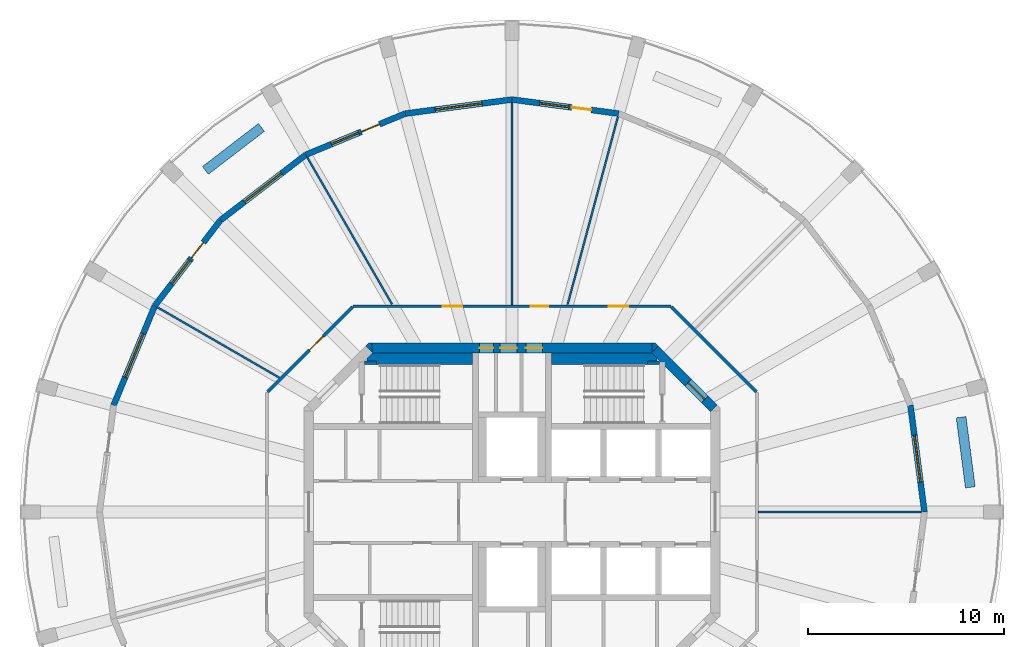
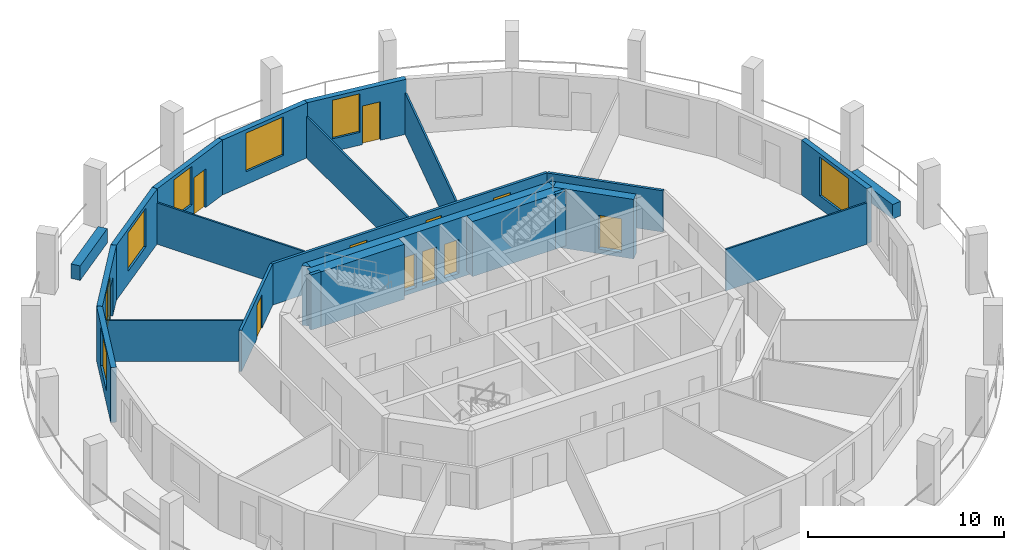
# One storey, part 5 of 8: 25 walls, 11 doors, 7 windows, 18 openings.
"""IFC4 building model written with IfcOpenShell, lengths in metres."""

from ifc_helpers import new_model, si_unit, direction, frame, frame_2d, origin, place, context, subcontext, project, spatial, polyline, rectangle, outline, extrude, material, layer, layer_set, type_object, element, fill, save


model = new_model("IFC4")

# Units and contexts
model_context = context("Model", 3, precision=1e-05, world=origin(), true_north=direction((0.0, 1.0)))
body_context = subcontext(model_context, "Body", "Model", "MODEL_VIEW")
ifc_project = project(units=[si_unit("LENGTHUNIT", "METRE"), si_unit("AREAUNIT", "SQUARE_METRE"), si_unit("VOLUMEUNIT", "CUBIC_METRE"), si_unit("PLANEANGLEUNIT", "RADIAN"), si_unit("MASSUNIT", "GRAM", prefix="KILO")], contexts=[model_context])

# Site, building, storey
site_placement = place(None, origin())
site = spatial("IfcSite", under=ifc_project, at=site_placement, CompositionType="ELEMENT")
building_placement = place(site_placement, origin())
building = spatial("IfcBuilding", under=site, at=building_placement, Name="Torre Triforio", CompositionType="ELEMENT")
storey_placement = place(building_placement, frame((0.0, 0.0, 253.800048828125)))
storey = spatial("IfcBuildingStorey", under=building, at=storey_placement, Name="L58", CompositionType="ELEMENT", Elevation=253.800048828125)

# Wall, openings, doors
ifc_material_1 = material(Name="Concrete C40", Category="concrete")
ifc_layer_1 = layer(ifc_material_1, 0.5)
ifc_layer_set_1 = layer_set([ifc_layer_1], Name="Concrete C40")
wall_type_1 = type_object("IfcWallType", Name="Core wall 500 mm C40 EI 120", PredefinedType="SHEAR", material=ifc_layer_set_1)
wall_1_placement = place(storey_placement, frame((-7.1298828125, 8.35009765625, -0.280029296875), z_axis=(0.0, 0.0, 1.0), x_axis=(1.0, 0.0, 0.0)))
wall_1 = element("IfcWall", 1, at=wall_1_placement, inside=storey, type_object=wall_type_1, Name="Core wall", PredefinedType="SHEAR", context=body_context, shape_type="SweptSolid", body=[
    extrude(rectangle(XDim=14.259765625, YDim=0.5, at=frame_2d((7.1298828125, 0.0))), origin(), (0.0, 0.0, 1.0), 3.699951171875),
])
opening_1_placement = place(wall_1_placement, frame((5.47998046875, 0.0, 0.280029296875)))
opening_1 = element("IfcOpeningElement", 2, at=opening_1_placement, cuts=wall_1, Name="Opening RISER-N", PredefinedType="OPENING", context=body_context, shape_type="SweptSolid", body=[
    extrude(rectangle(XDim=0.699951171875, YDim=2.10009765625, at=frame_2d((0.35009765625, 1.050048828125))), frame((0.0, 0.260009765625, 0.0), z_axis=(0.0, -1.0, 0.0), x_axis=(1.0, 0.0, 0.0)), (0.0, 0.0, 1.0), 0.52001953125),
])
opening_2_placement = place(wall_1_placement, frame((6.530029296875, 0.0, 0.280029296875)))
opening_2 = element("IfcOpeningElement", 3, at=opening_2_placement, cuts=wall_1, Name="Opening NE-01A", PredefinedType="OPENING", context=body_context, shape_type="SweptSolid", body=[
    extrude(rectangle(XDim=0.85009765625, YDim=2.10009765625, at=frame_2d((0.425048828125, 1.050048828125))), frame((0.0, 0.260009765625, 0.0), z_axis=(0.0, -1.0, 0.0), x_axis=(1.0, 0.0, 0.0)), (0.0, 0.0, 1.0), 0.52001953125),
])
opening_3_placement = place(wall_1_placement, frame((7.830078125, 0.0, 0.280029296875)))
opening_3 = element("IfcOpeningElement", 4, at=opening_3_placement, cuts=wall_1, Name="Opening NE-02", PredefinedType="OPENING", context=body_context, shape_type="SweptSolid", body=[
    extrude(rectangle(XDim=0.85009765625, YDim=2.10009765625, at=frame_2d((0.425048828125, 1.050048828125))), frame((0.0, 0.260009765625, 0.0), z_axis=(0.0, -1.0, 0.0), x_axis=(1.0, 0.0, 0.0)), (0.0, 0.0, 1.0), 0.52001953125),
])
ifc_material_2 = material(Name="Hollow metal fire door leaf")
door_type_1 = type_object("IfcDoorType", Name="Plant room door 850 x 2100 EI 60", OperationType="NOTDEFINED", PredefinedType="DOOR", material=ifc_material_2)
door_1_placement = place(opening_3_placement, origin())
door_1 = element("IfcDoor", 5, at=door_1_placement, inside=storey, type_object=door_type_1, Name="Core door NE-02", OperationType="SINGLE_SWING_RIGHT", OverallHeight=2.10009765625, OverallWidth=0.85009765625, PredefinedType="DOOR", context=body_context, shape_type="SweptSolid", body=[
    extrude(rectangle(XDim=0.85009765625, YDim=2.10009765625, at=frame_2d((0.425048828125, 1.050048828125))), frame((0.0, 0.02490234375, 0.0), z_axis=(0.0, -1.0, 0.0), x_axis=(1.0, 0.0, 0.0)), (0.0, 0.0, 1.0), 0.050048828125),
])
fill(opening_3, door_1)
door_type_2 = type_object("IfcDoorType", Name="Riser door 700 x 2100 EI 60", OperationType="NOTDEFINED", PredefinedType="DOOR", material=ifc_material_2)
door_2_placement = place(opening_1_placement, origin())
door_2 = element("IfcDoor", 6, at=door_2_placement, inside=storey, type_object=door_type_2, Name="Core door RISER-N", OperationType="SINGLE_SWING_LEFT", OverallHeight=2.10009765625, OverallWidth=0.699951171875, PredefinedType="DOOR", context=body_context, shape_type="SweptSolid", body=[
    extrude(rectangle(XDim=0.699951171875, YDim=2.10009765625, at=frame_2d((0.35009765625, 1.050048828125))), frame((0.0, 0.02490234375, 0.0), z_axis=(0.0, -1.0, 0.0), x_axis=(1.0, 0.0, 0.0)), (0.0, 0.0, 1.0), 0.050048828125),
])
fill(opening_1, door_2)
door_type_3 = type_object("IfcDoorType", Name="Room door 850 x 2100 EI 60", OperationType="NOTDEFINED", PredefinedType="DOOR", material=ifc_material_2)
door_3_placement = place(opening_2_placement, origin())
door_3 = element("IfcDoor", 7, at=door_3_placement, inside=storey, type_object=door_type_3, Name="Core door NE-01", OperationType="SINGLE_SWING_LEFT", OverallHeight=2.10009765625, OverallWidth=0.85009765625, PredefinedType="DOOR", context=body_context, shape_type="SweptSolid", body=[
    extrude(rectangle(XDim=0.85009765625, YDim=2.10009765625, at=frame_2d((0.425048828125, 1.050048828125))), frame((0.0, 0.02490234375, 0.0), z_axis=(0.0, -1.0, 0.0), x_axis=(1.0, 0.0, 0.0)), (0.0, 0.0, 1.0), 0.050048828125),
])
fill(opening_2, door_3)

# Wall, opening, door
wall_2_placement = place(storey_placement, frame((7.27685546875, 8.27685546875, -0.280029296875), z_axis=(0.0, 0.0, 1.0), x_axis=(0.707106781187, -0.707106781187, 0.0)))
wall_2 = element("IfcWall", 8, at=wall_2_placement, inside=storey, type_object=wall_type_1, Name="Core wall", PredefinedType="SHEAR", context=body_context, shape_type="SweptSolid", body=[
    extrude(rectangle(XDim=4.24267578125, YDim=0.5, at=frame_2d((2.121337890625, 0.0))), origin(), (0.0, 0.0, 1.0), 3.699951171875),
])
opening_4_placement = place(wall_2_placement, frame((2.392578125, 0.0, 0.280029296875)))
opening_4 = element("IfcOpeningElement", 9, at=opening_4_placement, cuts=wall_2, Name="Opening ST2-EXIT", PredefinedType="OPENING", context=body_context, shape_type="SweptSolid", body=[
    extrude(rectangle(XDim=1.199951171875, YDim=2.10009765625, at=frame_2d((0.60009765625, 1.050048828125))), frame((0.0, 0.260009765625, 0.0), z_axis=(0.0, -1.0, 0.0), x_axis=(1.0, 0.0, 0.0)), (0.0, 0.0, 1.0), 0.52001953125),
])
door_type_4 = type_object("IfcDoorType", Name="Stair lobby door 1200 x 2100 EI 60", OperationType="NOTDEFINED", PredefinedType="DOOR", material=ifc_material_2)
door_4_placement = place(opening_4_placement, origin())
door_4 = element("IfcDoor", 10, at=door_4_placement, inside=storey, type_object=door_type_4, Name="Core door ST2-EXIT", OperationType="SINGLE_SWING_RIGHT", OverallHeight=2.10009765625, OverallWidth=1.199951171875, PredefinedType="DOOR", context=body_context, shape_type="SweptSolid", body=[
    extrude(rectangle(XDim=1.199951171875, YDim=2.10009765625, at=frame_2d((0.60009765625, 1.050048828125))), frame((0.0, 0.02490234375, 0.0), z_axis=(0.0, -1.0, 0.0), x_axis=(1.0, 0.0, 0.0)), (0.0, 0.0, 1.0), 0.050048828125),
])
fill(opening_4, door_4)

# Walls
wall_3_placement = place(storey_placement, frame((0.0, 0.0, -0.280029296875)))
element("IfcWall", 11, at=wall_3_placement, inside=storey, type_object=wall_type_1, Name="Core wall", PredefinedType="SHEAR", context=body_context, shape_type="SweptSolid", body=[
    extrude(outline(polyline([(-7.30712890625, 8.60009765625), (-7.1298828125, 8.60009765625), (-7.1298828125, 8.1298828125), (-7.45361328125, 8.45361328125), (-7.30712890625, 8.60009765625)])), origin(), (0.0, 0.0, 1.0), 3.699951171875),
])
wall_4_placement = place(storey_placement, frame((0.0, 0.0, -0.280029296875)))
element("IfcWall", 12, at=wall_4_placement, inside=storey, type_object=wall_type_1, Name="Core wall", PredefinedType="SHEAR", context=body_context, shape_type="SweptSolid", body=[
    extrude(outline(polyline([(7.30712890625, 8.60009765625), (7.45361328125, 8.45361328125), (7.1298828125, 8.1298828125), (7.1298828125, 8.60009765625), (7.30712890625, 8.60009765625)])), origin(), (0.0, 0.0, 1.0), 3.699951171875),
])

# Wall, opening, door
ifc_material_3 = material(Name="Plasterboard on metal studs")
ifc_layer_2 = layer(ifc_material_3, 0.14990234375)
ifc_layer_set_2 = layer_set([ifc_layer_2], Name="Plasterboard on metal studs")
wall_type_2 = type_object("IfcWallType", Name="Corridor and tenancy wall 150 mm EI 60", PredefinedType="PARTITIONING", material=ifc_layer_set_2)
wall_5_placement = place(storey_placement, frame((-12.43798828125, 6.120849609375, 0.0), z_axis=(0.0, 0.0, 1.0), x_axis=(0.707106781187, 0.707106781187, 0.0)))
wall_5 = element("IfcWall", 13, at=wall_5_placement, inside=storey, type_object=wall_type_2, Name="Partition 5", PredefinedType="PARTITIONING", context=body_context, shape_type="SweptSolid", body=[
    extrude(rectangle(XDim=6.10546875, YDim=0.14990234375, at=frame_2d((3.052734375, 0.0))), origin(), (0.0, 0.0, 1.0), 2.570068359375),
])
opening_5_placement = place(wall_5_placement, frame((3.001953125, 0.0, 0.0)))
opening_5 = element("IfcOpeningElement", 14, at=opening_5_placement, cuts=wall_5, Name="Opening E1-04", PredefinedType="OPENING", context=body_context, shape_type="SweptSolid", body=[
    extrude(rectangle(XDim=1.0, YDim=2.10009765625, at=frame_2d((0.5, 1.050048828125))), frame((0.0, 0.0849609375, 0.0), z_axis=(0.0, -1.0, 0.0), x_axis=(1.0, 0.0, 0.0)), (0.0, 0.0, 1.0), 0.169921875),
])
ifc_material_4 = material(Name="Timber", Category="wood")
door_type_5 = type_object("IfcDoorType", Name="Door 1000 x 2100 single leaf EI 30", OperationType="NOTDEFINED", PredefinedType="DOOR", material=ifc_material_4)
door_5_placement = place(opening_5_placement, origin())
door_5 = element("IfcDoor", 15, at=door_5_placement, inside=storey, type_object=door_type_5, Name="Door E1-04", OperationType="SINGLE_SWING_LEFT", OverallHeight=2.10009765625, OverallWidth=1.0, PredefinedType="DOOR", context=body_context, shape_type="SweptSolid", body=[
    extrude(rectangle(XDim=1.0, YDim=2.10009765625, at=frame_2d((0.5, 1.050048828125))), frame((0.0, 0.02490234375, 0.0), z_axis=(0.0, -1.0, 0.0), x_axis=(1.0, 0.0, 0.0)), (0.0, 0.0, 1.0), 0.050048828125),
])
fill(opening_5, door_5)

# Wall, openings, doors
wall_6_placement = place(storey_placement, frame((-8.083740234375, 10.47509765625, 0.0), z_axis=(0.0, 0.0, 1.0), x_axis=(1.0, 0.0, 0.0)))
wall_6 = element("IfcWall", 16, at=wall_6_placement, inside=storey, type_object=wall_type_2, Name="Partition 6", PredefinedType="PARTITIONING", context=body_context, shape_type="SweptSolid", body=[
    extrude(rectangle(XDim=16.16748046875, YDim=0.14990234375, at=frame_2d((8.083740234375, 0.0))), origin(), (0.0, 0.0, 1.0), 2.570068359375),
])
opening_6_placement = place(wall_6_placement, frame((13.00390625, 0.0, 0.0)))
opening_6 = element("IfcOpeningElement", 17, at=opening_6_placement, cuts=wall_6, Name="Opening E1-01", PredefinedType="OPENING", context=body_context, shape_type="SweptSolid", body=[
    extrude(rectangle(XDim=1.0, YDim=2.10009765625, at=frame_2d((0.5, 1.050048828125))), frame((0.0, 0.0849609375, 0.0), z_axis=(0.0, -1.0, 0.0), x_axis=(1.0, 0.0, 0.0)), (0.0, 0.0, 1.0), 0.169921875),
])
opening_7_placement = place(wall_6_placement, frame((9.0380859375, 0.0, 0.0)))
opening_7 = element("IfcOpeningElement", 18, at=opening_7_placement, cuts=wall_6, Name="Opening E1-02", PredefinedType="OPENING", context=body_context, shape_type="SweptSolid", body=[
    extrude(rectangle(XDim=0.89990234375, YDim=2.10009765625, at=frame_2d((0.449951171875, 1.050048828125))), frame((0.0, 0.0849609375, 0.0), z_axis=(0.0, -1.0, 0.0), x_axis=(1.0, 0.0, 0.0)), (0.0, 0.0, 1.0), 0.169921875),
])
opening_8_placement = place(wall_6_placement, frame((4.555908203125, 0.0, 0.0)))
opening_8 = element("IfcOpeningElement", 19, at=opening_8_placement, cuts=wall_6, Name="Opening E1-03", PredefinedType="OPENING", context=body_context, shape_type="SweptSolid", body=[
    extrude(rectangle(XDim=1.0, YDim=2.10009765625, at=frame_2d((0.5, 1.050048828125))), frame((0.0, 0.0849609375, 0.0), z_axis=(0.0, -1.0, 0.0), x_axis=(1.0, 0.0, 0.0)), (0.0, 0.0, 1.0), 0.169921875),
])
door_6_placement = place(opening_6_placement, origin())
door_6 = element("IfcDoor", 20, at=door_6_placement, inside=storey, type_object=door_type_5, Name="Door E1-01", OperationType="SINGLE_SWING_LEFT", OverallHeight=2.10009765625, OverallWidth=1.0, PredefinedType="DOOR", context=body_context, shape_type="SweptSolid", body=[
    extrude(rectangle(XDim=1.0, YDim=2.10009765625, at=frame_2d((0.5, 1.050048828125))), frame((0.0, 0.02490234375, 0.0), z_axis=(0.0, -1.0, 0.0), x_axis=(1.0, 0.0, 0.0)), (0.0, 0.0, 1.0), 0.050048828125),
])
fill(opening_6, door_6)
door_7_placement = place(opening_8_placement, origin())
door_7 = element("IfcDoor", 21, at=door_7_placement, inside=storey, type_object=door_type_5, Name="Door E1-03", OperationType="SINGLE_SWING_LEFT", OverallHeight=2.10009765625, OverallWidth=1.0, PredefinedType="DOOR", context=body_context, shape_type="SweptSolid", body=[
    extrude(rectangle(XDim=1.0, YDim=2.10009765625, at=frame_2d((0.5, 1.050048828125))), frame((0.0, 0.02490234375, 0.0), z_axis=(0.0, -1.0, 0.0), x_axis=(1.0, 0.0, 0.0)), (0.0, 0.0, 1.0), 0.050048828125),
])
fill(opening_8, door_7)
door_type_6 = type_object("IfcDoorType", Name="Door 900 x 2100 single leaf EI 30", OperationType="NOTDEFINED", PredefinedType="DOOR", material=ifc_material_4)
door_8_placement = place(opening_7_placement, origin())
door_8 = element("IfcDoor", 22, at=door_8_placement, inside=storey, type_object=door_type_6, Name="Door E1-02", OperationType="SINGLE_SWING_LEFT", OverallHeight=2.10009765625, OverallWidth=0.89990234375, PredefinedType="DOOR", context=body_context, shape_type="SweptSolid", body=[
    extrude(rectangle(XDim=0.89990234375, YDim=2.10009765625, at=frame_2d((0.449951171875, 1.050048828125))), frame((0.0, 0.02490234375, 0.0), z_axis=(0.0, -1.0, 0.0), x_axis=(1.0, 0.0, 0.0)), (0.0, 0.0, 1.0), 0.050048828125),
])
fill(opening_7, door_8)

# Walls
wall_7_placement = place(storey_placement, frame((8.120849609375, 10.43798828125, 0.0), z_axis=(0.0, 0.0, 1.0), x_axis=(0.707106781187, -0.707106781187, 0.0)))
element("IfcWall", 23, at=wall_7_placement, inside=storey, type_object=wall_type_2, Name="Partition 7", PredefinedType="PARTITIONING", context=body_context, shape_type="SweptSolid", body=[
    extrude(rectangle(XDim=6.10546875, YDim=0.14990234375, at=frame_2d((3.052734375, 0.0))), origin(), (0.0, 0.0, 1.0), 2.570068359375),
])
ifc_layer_3 = layer(ifc_material_3, 0.10009765625)
ifc_layer_set_3 = layer_set([ifc_layer_3], Name="Plasterboard on metal studs")
wall_type_3 = type_object("IfcWallType", Name="Partition 100 mm board on metal studs", PredefinedType="PARTITIONING", material=ifc_layer_set_3)
wall_8_placement = place(storey_placement, frame((12.550048828125, 0.0, 0.0), z_axis=(0.0, 0.0, 1.0), x_axis=(1.0, 0.0, 0.0)))
element("IfcWall", 24, at=wall_8_placement, inside=storey, type_object=wall_type_3, Name="Partition 9", PredefinedType="PARTITIONING", context=body_context, shape_type="SweptSolid", body=[
    extrude(rectangle(XDim=8.28662109375, YDim=0.10009765625, at=frame_2d((4.143310546875, 0.0))), origin(), (0.0, 0.0, 1.0), 2.570068359375),
])
wall_9_placement = place(storey_placement, frame((2.830810546875, 10.564208984375, 0.0), z_axis=(0.0, 0.0, 1.0), x_axis=(0.258795254151, 0.965932200741, 0.0)))
element("IfcWall", 25, at=wall_9_placement, inside=storey, type_object=wall_type_3, Name="Partition 11", PredefinedType="PARTITIONING", context=body_context, shape_type="SweptSolid", body=[
    extrude(rectangle(XDim=9.899658203125, YDim=0.10009765625, at=frame_2d((4.94970703125, 0.0))), origin(), (0.0, 0.0, 1.0), 2.570068359375),
])
wall_10_placement = place(storey_placement, frame((0.0, 10.550048828125, 0.0), z_axis=(0.0, 0.0, 1.0), x_axis=(0.0, 1.0, 0.0)))
element("IfcWall", 26, at=wall_10_placement, inside=storey, type_object=wall_type_3, Name="Partition 12", PredefinedType="PARTITIONING", context=body_context, shape_type="SweptSolid", body=[
    extrude(rectangle(XDim=10.28662109375, YDim=0.10009765625, at=frame_2d((5.143310546875, 0.0))), origin(), (0.0, 0.0, 1.0), 2.570068359375),
])
wall_11_placement = place(storey_placement, frame((-6.105224609375, 10.57470703125, 0.0), z_axis=(0.0, 0.0, 1.0), x_axis=(-0.50001399067, 0.866017326117, 0.0)))
element("IfcWall", 27, at=wall_11_placement, inside=storey, type_object=wall_type_3, Name="Partition 13", PredefinedType="PARTITIONING", context=body_context, shape_type="SweptSolid", body=[
    extrude(rectangle(XDim=8.626220703125, YDim=0.10009765625, at=frame_2d((4.31298828125, 0.0))), origin(), (0.0, 0.0, 1.0), 2.570068359375),
])
wall_12_placement = place(storey_placement, frame((-11.845947265625, 6.839111328125, 0.0), z_axis=(0.0, 0.0, 1.0), x_axis=(-0.866011787705, 0.500023583, 0.0)))
element("IfcWall", 28, at=wall_12_placement, inside=storey, type_object=wall_type_3, Name="Partition 14", PredefinedType="PARTITIONING", context=body_context, shape_type="SweptSolid", body=[
    extrude(rectangle(XDim=7.158447265625, YDim=0.10009765625, at=frame_2d((3.5791015625, 0.0))), origin(), (0.0, 0.0, 1.0), 2.570068359375),
])
ifc_material_5 = material(Name="Limestone cladding", Category="masonry")
ifc_layer_4 = layer(ifc_material_5, 0.10009765625)
ifc_layer_5 = layer(ifc_material_1, 0.39990234375)
ifc_layer_set_4 = layer_set([ifc_layer_4, ifc_layer_5], Name="Limestone cladding / Concrete C40")
wall_type_4 = type_object("IfcWallType", Name="Planter wall 500", PredefinedType="PARAPET", material=ifc_layer_set_4)
for number, where, z_axis, x_axis, name in (
    (29, (23.335693359375, 1.256591796875, 0.0), (0.0, 0.0, 1.0), (-0.130542222659, 0.991442750795, 0.0), "Planter L58 bay 01"),
    (30, (-12.756103515625, 19.580810546875, 0.0), (0.0, 0.0, 1.0), (-0.793384730612, -0.608720518162, 0.0), "Planter L58 bay 09"),
):
    element("IfcWall", number, at=place(storey_placement, frame(where, z_axis=z_axis, x_axis=x_axis)), inside=storey, type_object=wall_type_4, Name=name, PredefinedType="PARAPET", context=body_context, shape_type="SweptSolid", body=[
        extrude(rectangle(XDim=3.60009765625, YDim=0.5, at=frame_2d((1.800048828125, 0.0))), origin(), (0.0, 0.0, 1.0), 0.89990234375),
    ])
ifc_layer_6 = layer(ifc_material_1, 0.199951171875)
ifc_layer_set_5 = layer_set([ifc_layer_6], Name="Concrete C40")
wall_type_5 = type_object("IfcWallType", Name="Stair wall 200 mm C40 EI 120", PredefinedType="SHEAR", material=ifc_layer_set_5)
for number, where, z_axis, x_axis, name in (
    (31, (-7.5, 7.60009765625, 0.0), (0.0, 0.0, 1.0), (1.0, 0.0, 0.0), "Stair wall"),
    (32, (6.89990234375, 7.60009765625, 0.0), (0.0, 0.0, 1.0), (1.0, 0.0, 0.0), "Stair wall"),
):
    element("IfcWall", number, at=place(storey_placement, frame(where, z_axis=z_axis, x_axis=x_axis)), inside=storey, type_object=wall_type_5, Name=name, PredefinedType="SHEAR", context=body_context, shape_type="SweptSolid", body=[
        extrude(rectangle(XDim=0.60009765625, YDim=0.199951171875, at=frame_2d((0.300048828125, 0.0))), origin(), (0.0, 0.0, 1.0), 3.419921875),
    ])
ifc_layer_7 = layer(ifc_material_1, 0.60009765625)
ifc_layer_set_6 = layer_set([ifc_layer_7], Name="Concrete C40")
wall_type_6 = type_object("IfcWallType", Name="Stair wall 600 mm C40 EI 120", PredefinedType="SHEAR", material=ifc_layer_set_6)
for number, where, z_axis, x_axis, name in (
    (33, (-7.3701171875, 7.800048828125, 0.0), (0.0, 0.0, 1.0), (1.0, 0.0, 0.0), "Stair wall"),
    (34, (2.0, 7.800048828125, 0.0), (0.0, 0.0, 1.0), (1.0, 0.0, 0.0), "Stair wall"),
):
    element("IfcWall", number, at=place(storey_placement, frame(where, z_axis=z_axis, x_axis=x_axis)), inside=storey, type_object=wall_type_6, Name=name, PredefinedType="SHEAR", context=body_context, shape_type="SweptSolid", body=[
        extrude(rectangle(XDim=5.3701171875, YDim=0.60009765625, at=frame_2d((2.68505859375, 0.0))), origin(), (0.0, 0.0, 1.0), 3.419921875),
    ])

# Wall, opening, window
ifc_layer_8 = layer(ifc_material_5, 0.10009765625)
ifc_layer_9 = layer(ifc_material_1, 0.199951171875)
ifc_layer_set_7 = layer_set([ifc_layer_8, ifc_layer_9], Name="Limestone cladding / Concrete C40")
wall_type_7 = type_object("IfcWallType", Name="Stone-faced composite wall 300", PredefinedType="STANDARD", material=ifc_layer_set_7)
wall_13_placement = place(storey_placement, frame((21.0, 0.0, 0.0), z_axis=(0.0, 0.0, 1.0), x_axis=(-0.130527087244, 0.991444743541, 0.0)))
wall_13 = element("IfcWall", 35, at=wall_13_placement, inside=storey, type_object=wall_type_7, Name="External wall L58 bay 01", PredefinedType="STANDARD", context=body_context, shape_type="SweptSolid", body=[
    extrude(rectangle(XDim=5.482177734375, YDim=0.300048828125, at=frame_2d((2.7412109375, 0.0))), origin(), (0.0, 0.0, 1.0), 3.419921875),
])
opening_9_placement = place(wall_13_placement, frame((1.541015625, 0.0, 0.800048828125)))
opening_9 = element("IfcOpeningElement", 36, at=opening_9_placement, cuts=wall_13, Name="Opening E1-W01", PredefinedType="OPENING", context=body_context, shape_type="SweptSolid", body=[
    extrude(rectangle(XDim=2.39990234375, YDim=2.39990234375, at=frame_2d((1.199951171875, 1.199951171875))), frame((0.0, 0.159912109375, 0.0), z_axis=(0.0, -1.0, 0.0), x_axis=(1.0, 0.0, 0.0)), (0.0, 0.0, 1.0), 0.320068359375),
])
ifc_material_6 = material(Name="Aluminium frame with clear double glazing", Category="aluminium")
window_type_1 = type_object("IfcWindowType", Name="Punched window 2400 x 2400", PartitioningType="DOUBLE_PANEL_VERTICAL", PredefinedType="WINDOW", material=ifc_material_6)
window_1_placement = place(opening_9_placement, origin())
window_1 = element("IfcWindow", 37, at=window_1_placement, inside=storey, type_object=window_type_1, Name="Window EWN4 L58 bay 01", OverallHeight=2.39990234375, OverallWidth=2.39990234375, PartitioningType="SINGLE_PANEL", PredefinedType="WINDOW", context=body_context, shape_type="SweptSolid", body=[
    extrude(rectangle(XDim=2.39990234375, YDim=2.39990234375, at=frame_2d((1.199951171875, 1.199951171875))), frame((0.0, 0.030029296875, 0.0), z_axis=(0.0, -1.0, 0.0), x_axis=(1.0, 0.0, 0.0)), (0.0, 0.0, 1.0), 0.06005859375),
])
fill(opening_9, window_1)

# Wall, openings, door, window
wall_14_placement = place(storey_placement, frame((5.435302734375, 20.284423828125, 0.0), z_axis=(0.0, 0.0, 1.0), x_axis=(-0.991444743541, 0.130527087244, 0.0)))
wall_14 = element("IfcWall", 38, at=wall_14_placement, inside=storey, type_object=wall_type_7, Name="External wall L58 bay 06", PredefinedType="STANDARD", context=body_context, shape_type="SweptSolid", body=[
    extrude(rectangle(XDim=5.482177734375, YDim=0.300048828125, at=frame_2d((2.7412109375, 0.0))), origin(), (0.0, 0.0, 1.0), 3.419921875),
])
opening_10_placement = place(wall_14_placement, frame((1.416015625, 0.0, 0.0)))
opening_10 = element("IfcOpeningElement", 39, at=opening_10_placement, cuts=wall_14, Name="Opening E1-D06", PredefinedType="OPENING", context=body_context, shape_type="SweptSolid", body=[
    extrude(rectangle(XDim=1.0, YDim=2.39990234375, at=frame_2d((0.5, 1.199951171875))), frame((0.0, 0.159912109375, 0.0), z_axis=(0.0, -1.0, 0.0), x_axis=(1.0, 0.0, 0.0)), (0.0, 0.0, 1.0), 0.320068359375),
])
opening_11_placement = place(wall_14_placement, frame((2.566162109375, 0.0, 0.800048828125)))
opening_11 = element("IfcOpeningElement", 40, at=opening_11_placement, cuts=wall_14, Name="Opening E1-W06A", PredefinedType="OPENING", context=body_context, shape_type="SweptSolid", body=[
    extrude(rectangle(XDim=1.5, YDim=2.39990234375, at=frame_2d((0.75, 1.199951171875))), frame((0.0, 0.159912109375, 0.0), z_axis=(0.0, -1.0, 0.0), x_axis=(1.0, 0.0, 0.0)), (0.0, 0.0, 1.0), 0.320068359375),
])
door_type_7 = type_object("IfcDoorType", Name="Loggia door 1000 x 2400", OperationType="NOTDEFINED", PredefinedType="DOOR", material=ifc_material_6)
door_9_placement = place(opening_10_placement, origin())
door_9 = element("IfcDoor", 41, at=door_9_placement, inside=storey, type_object=door_type_7, Name="Loggia door L58 bay 06", OperationType="SINGLE_SWING_LEFT", OverallHeight=2.39990234375, OverallWidth=1.0, PredefinedType="DOOR", context=body_context, shape_type="SweptSolid", body=[
    extrude(rectangle(XDim=1.0, YDim=2.39990234375, at=frame_2d((0.5, 1.199951171875))), frame((0.0, 0.02490234375, 0.0), z_axis=(0.0, -1.0, 0.0), x_axis=(1.0, 0.0, 0.0)), (0.0, 0.0, 1.0), 0.050048828125),
])
fill(opening_10, door_9)
window_type_2 = type_object("IfcWindowType", Name="Side window 1500 x 2400", PartitioningType="SINGLE_PANEL", PredefinedType="WINDOW", material=ifc_material_6)
window_2_placement = place(opening_11_placement, origin())
window_2 = element("IfcWindow", 42, at=window_2_placement, inside=storey, type_object=window_type_2, Name="Side window EWN14 L58 bay 06", OverallHeight=2.39990234375, OverallWidth=1.5, PartitioningType="SINGLE_PANEL", PredefinedType="WINDOW", context=body_context, shape_type="SweptSolid", body=[
    extrude(rectangle(XDim=1.5, YDim=2.39990234375, at=frame_2d((0.75, 1.199951171875))), frame((0.0, 0.030029296875, 0.0), z_axis=(0.0, -1.0, 0.0), x_axis=(1.0, 0.0, 0.0)), (0.0, 0.0, 1.0), 0.06005859375),
])
fill(opening_11, window_2)

# Wall, opening, window
wall_15_placement = place(storey_placement, frame((0.0, 21.0, 0.0), z_axis=(0.0, 0.0, 1.0), x_axis=(-0.991444743541, -0.130527087244, 0.0)))
wall_15 = element("IfcWall", 43, at=wall_15_placement, inside=storey, type_object=wall_type_7, Name="External wall L58 bay 07", PredefinedType="STANDARD", context=body_context, shape_type="SweptSolid", body=[
    extrude(rectangle(XDim=5.482177734375, YDim=0.300048828125, at=frame_2d((2.7412109375, 0.0))), origin(), (0.0, 0.0, 1.0), 3.419921875),
])
opening_12_placement = place(wall_15_placement, frame((1.541015625, 0.0, 0.800048828125)))
opening_12 = element("IfcOpeningElement", 44, at=opening_12_placement, cuts=wall_15, Name="Opening E1-W07", PredefinedType="OPENING", context=body_context, shape_type="SweptSolid", body=[
    extrude(rectangle(XDim=2.39990234375, YDim=2.39990234375, at=frame_2d((1.199951171875, 1.199951171875))), frame((0.0, 0.159912109375, 0.0), z_axis=(0.0, -1.0, 0.0), x_axis=(1.0, 0.0, 0.0)), (0.0, 0.0, 1.0), 0.320068359375),
])
window_3_placement = place(opening_12_placement, origin())
window_3 = element("IfcWindow", 45, at=window_3_placement, inside=storey, type_object=window_type_1, Name="Window EWN4 L58 bay 07", OverallHeight=2.39990234375, OverallWidth=2.39990234375, PartitioningType="SINGLE_PANEL", PredefinedType="WINDOW", context=body_context, shape_type="SweptSolid", body=[
    extrude(rectangle(XDim=2.39990234375, YDim=2.39990234375, at=frame_2d((1.199951171875, 1.199951171875))), frame((0.0, 0.030029296875, 0.0), z_axis=(0.0, -1.0, 0.0), x_axis=(1.0, 0.0, 0.0)), (0.0, 0.0, 1.0), 0.06005859375),
])
fill(opening_12, window_3)

# Wall, openings, door, window
wall_16_placement = place(storey_placement, frame((-5.435302734375, 20.284423828125, 0.0), z_axis=(0.0, 0.0, 1.0), x_axis=(-0.923877333662, -0.382688740813, 0.0)))
wall_16 = element("IfcWall", 46, at=wall_16_placement, inside=storey, type_object=wall_type_7, Name="External wall L58 bay 08", PredefinedType="STANDARD", context=body_context, shape_type="SweptSolid", body=[
    extrude(rectangle(XDim=5.48193359375, YDim=0.300048828125, at=frame_2d((2.740966796875, 0.0))), origin(), (0.0, 0.0, 1.0), 3.419921875),
])
opening_13_placement = place(wall_16_placement, frame((1.416015625, 0.0, 0.0)))
opening_13 = element("IfcOpeningElement", 47, at=opening_13_placement, cuts=wall_16, Name="Opening E1-D08", PredefinedType="OPENING", context=body_context, shape_type="SweptSolid", body=[
    extrude(rectangle(XDim=1.0, YDim=2.39990234375, at=frame_2d((0.5, 1.199951171875))), frame((0.0, 0.159912109375, 0.0), z_axis=(0.0, -1.0, 0.0), x_axis=(1.0, 0.0, 0.0)), (0.0, 0.0, 1.0), 0.320068359375),
])
opening_14_placement = place(wall_16_placement, frame((2.566162109375, 0.0, 0.800048828125)))
opening_14 = element("IfcOpeningElement", 48, at=opening_14_placement, cuts=wall_16, Name="Opening E1-W08A", PredefinedType="OPENING", context=body_context, shape_type="SweptSolid", body=[
    extrude(rectangle(XDim=1.5, YDim=2.39990234375, at=frame_2d((0.75, 1.199951171875))), frame((0.0, 0.159912109375, 0.0), z_axis=(0.0, -1.0, 0.0), x_axis=(1.0, 0.0, 0.0)), (0.0, 0.0, 1.0), 0.320068359375),
])
door_10_placement = place(opening_13_placement, origin())
door_10 = element("IfcDoor", 49, at=door_10_placement, inside=storey, type_object=door_type_7, Name="Loggia door L58 bay 08", OperationType="SINGLE_SWING_LEFT", OverallHeight=2.39990234375, OverallWidth=1.0, PredefinedType="DOOR", context=body_context, shape_type="SweptSolid", body=[
    extrude(rectangle(XDim=1.0, YDim=2.39990234375, at=frame_2d((0.5, 1.199951171875))), frame((0.0, 0.02490234375, 0.0), z_axis=(0.0, -1.0, 0.0), x_axis=(1.0, 0.0, 0.0)), (0.0, 0.0, 1.0), 0.050048828125),
])
fill(opening_13, door_10)
window_4_placement = place(opening_14_placement, origin())
window_4 = element("IfcWindow", 50, at=window_4_placement, inside=storey, type_object=window_type_2, Name="Side window EWN14 L58 bay 08", OverallHeight=2.39990234375, OverallWidth=1.5, PartitioningType="SINGLE_PANEL", PredefinedType="WINDOW", context=body_context, shape_type="SweptSolid", body=[
    extrude(rectangle(XDim=1.5, YDim=2.39990234375, at=frame_2d((0.75, 1.199951171875))), frame((0.0, 0.030029296875, 0.0), z_axis=(0.0, -1.0, 0.0), x_axis=(1.0, 0.0, 0.0)), (0.0, 0.0, 1.0), 0.06005859375),
])
fill(opening_14, window_4)

# Wall, opening, window
wall_17_placement = place(storey_placement, frame((-10.5, 18.1865234375, 0.0), z_axis=(0.0, 0.0, 1.0), x_axis=(-0.793335336593, -0.608784891166, 0.0)))
wall_17 = element("IfcWall", 51, at=wall_17_placement, inside=storey, type_object=wall_type_7, Name="External wall L58 bay 09", PredefinedType="STANDARD", context=body_context, shape_type="SweptSolid", body=[
    extrude(rectangle(XDim=5.482177734375, YDim=0.300048828125, at=frame_2d((2.7412109375, 0.0))), origin(), (0.0, 0.0, 1.0), 3.419921875),
])
opening_15_placement = place(wall_17_placement, frame((1.541015625, 0.0, 0.800048828125)))
opening_15 = element("IfcOpeningElement", 52, at=opening_15_placement, cuts=wall_17, Name="Opening E1-W09", PredefinedType="OPENING", context=body_context, shape_type="SweptSolid", body=[
    extrude(rectangle(XDim=2.39990234375, YDim=2.39990234375, at=frame_2d((1.199951171875, 1.199951171875))), frame((0.0, 0.159912109375, 0.0), z_axis=(0.0, -1.0, 0.0), x_axis=(1.0, 0.0, 0.0)), (0.0, 0.0, 1.0), 0.320068359375),
])
window_5_placement = place(opening_15_placement, origin())
window_5 = element("IfcWindow", 53, at=window_5_placement, inside=storey, type_object=window_type_1, Name="Window EWN4 L58 bay 09", OverallHeight=2.39990234375, OverallWidth=2.39990234375, PartitioningType="SINGLE_PANEL", PredefinedType="WINDOW", context=body_context, shape_type="SweptSolid", body=[
    extrude(rectangle(XDim=2.39990234375, YDim=2.39990234375, at=frame_2d((1.199951171875, 1.199951171875))), frame((0.0, 0.030029296875, 0.0), z_axis=(0.0, -1.0, 0.0), x_axis=(1.0, 0.0, 0.0)), (0.0, 0.0, 1.0), 0.06005859375),
])
fill(opening_15, window_5)

# Wall, openings, door, window
wall_18_placement = place(storey_placement, frame((-14.84912109375, 14.84912109375, 0.0), z_axis=(0.0, 0.0, 1.0), x_axis=(-0.608784891166, -0.793335336593, 0.0)))
wall_18 = element("IfcWall", 54, at=wall_18_placement, inside=storey, type_object=wall_type_7, Name="External wall L58 bay 10", PredefinedType="STANDARD", context=body_context, shape_type="SweptSolid", body=[
    extrude(rectangle(XDim=5.482177734375, YDim=0.300048828125, at=frame_2d((2.7412109375, 0.0))), origin(), (0.0, 0.0, 1.0), 3.419921875),
])
opening_16_placement = place(wall_18_placement, frame((1.416015625, 0.0, 0.0)))
opening_16 = element("IfcOpeningElement", 55, at=opening_16_placement, cuts=wall_18, Name="Opening E1-D10", PredefinedType="OPENING", context=body_context, shape_type="SweptSolid", body=[
    extrude(rectangle(XDim=1.0, YDim=2.39990234375, at=frame_2d((0.5, 1.199951171875))), frame((0.0, 0.159912109375, 0.0), z_axis=(0.0, -1.0, 0.0), x_axis=(1.0, 0.0, 0.0)), (0.0, 0.0, 1.0), 0.320068359375),
])
opening_17_placement = place(wall_18_placement, frame((2.56591796875, 0.0, 0.800048828125)))
opening_17 = element("IfcOpeningElement", 56, at=opening_17_placement, cuts=wall_18, Name="Opening E1-W10A", PredefinedType="OPENING", context=body_context, shape_type="SweptSolid", body=[
    extrude(rectangle(XDim=1.5, YDim=2.39990234375, at=frame_2d((0.75, 1.199951171875))), frame((0.0, 0.159912109375, 0.0), z_axis=(0.0, -1.0, 0.0), x_axis=(1.0, 0.0, 0.0)), (0.0, 0.0, 1.0), 0.320068359375),
])
door_11_placement = place(opening_16_placement, origin())
door_11 = element("IfcDoor", 57, at=door_11_placement, inside=storey, type_object=door_type_7, Name="Loggia door L58 bay 10", OperationType="SINGLE_SWING_LEFT", OverallHeight=2.39990234375, OverallWidth=1.0, PredefinedType="DOOR", context=body_context, shape_type="SweptSolid", body=[
    extrude(rectangle(XDim=1.0, YDim=2.39990234375, at=frame_2d((0.5, 1.199951171875))), frame((0.0, 0.02490234375, 0.0), z_axis=(0.0, -1.0, 0.0), x_axis=(1.0, 0.0, 0.0)), (0.0, 0.0, 1.0), 0.050048828125),
])
fill(opening_16, door_11)
window_6_placement = place(opening_17_placement, origin())
window_6 = element("IfcWindow", 58, at=window_6_placement, inside=storey, type_object=window_type_2, Name="Side window EWN14 L58 bay 10", OverallHeight=2.39990234375, OverallWidth=1.5, PartitioningType="SINGLE_PANEL", PredefinedType="WINDOW", context=body_context, shape_type="SweptSolid", body=[
    extrude(rectangle(XDim=1.5, YDim=2.39990234375, at=frame_2d((0.75, 1.199951171875))), frame((0.0, 0.030029296875, 0.0), z_axis=(0.0, -1.0, 0.0), x_axis=(1.0, 0.0, 0.0)), (0.0, 0.0, 1.0), 0.06005859375),
])
fill(opening_17, window_6)

# Wall, opening, window
wall_19_placement = place(storey_placement, frame((-18.1865234375, 10.5, 0.0), z_axis=(0.0, 0.0, 1.0), x_axis=(-0.382688740813, -0.923877333662, 0.0)))
wall_19 = element("IfcWall", 59, at=wall_19_placement, inside=storey, type_object=wall_type_7, Name="External wall L58 bay 11", PredefinedType="STANDARD", context=body_context, shape_type="SweptSolid", body=[
    extrude(rectangle(XDim=5.48193359375, YDim=0.300048828125, at=frame_2d((2.740966796875, 0.0))), origin(), (0.0, 0.0, 1.0), 3.419921875),
])
opening_18_placement = place(wall_19_placement, frame((1.541015625, 0.0, 0.800048828125)))
opening_18 = element("IfcOpeningElement", 60, at=opening_18_placement, cuts=wall_19, Name="Opening E1-W11", PredefinedType="OPENING", context=body_context, shape_type="SweptSolid", body=[
    extrude(rectangle(XDim=2.39990234375, YDim=2.39990234375, at=frame_2d((1.199951171875, 1.199951171875))), frame((0.0, 0.159912109375, 0.0), z_axis=(0.0, -1.0, 0.0), x_axis=(1.0, 0.0, 0.0)), (0.0, 0.0, 1.0), 0.320068359375),
])
window_7_placement = place(opening_18_placement, origin())
window_7 = element("IfcWindow", 61, at=window_7_placement, inside=storey, type_object=window_type_1, Name="Window EWN4 L58 bay 11", OverallHeight=2.39990234375, OverallWidth=2.39990234375, PartitioningType="SINGLE_PANEL", PredefinedType="WINDOW", context=body_context, shape_type="SweptSolid", body=[
    extrude(rectangle(XDim=2.39990234375, YDim=2.39990234375, at=frame_2d((1.199951171875, 1.199951171875))), frame((0.0, 0.030029296875, 0.0), z_axis=(0.0, -1.0, 0.0), x_axis=(1.0, 0.0, 0.0)), (0.0, 0.0, 1.0), 0.06005859375),
])
fill(opening_18, window_7)

save(model, "model.ifc")
